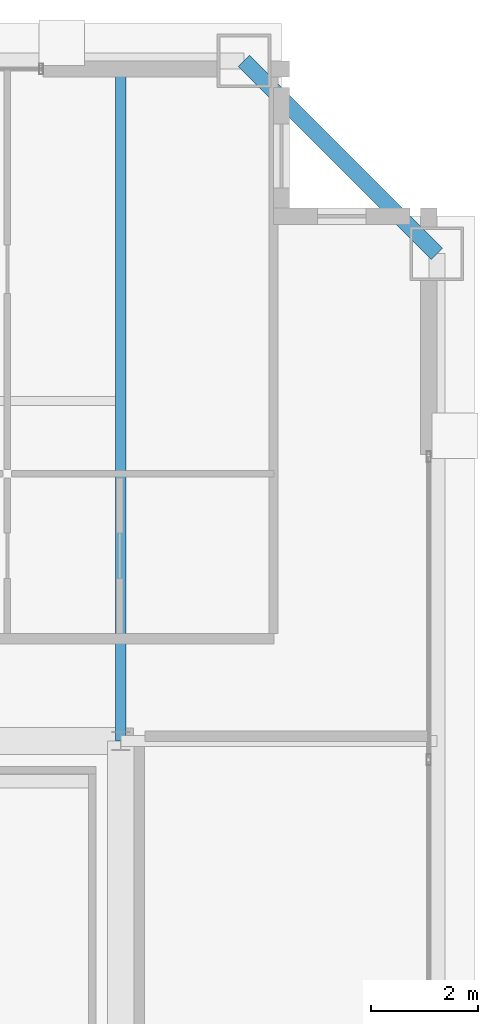
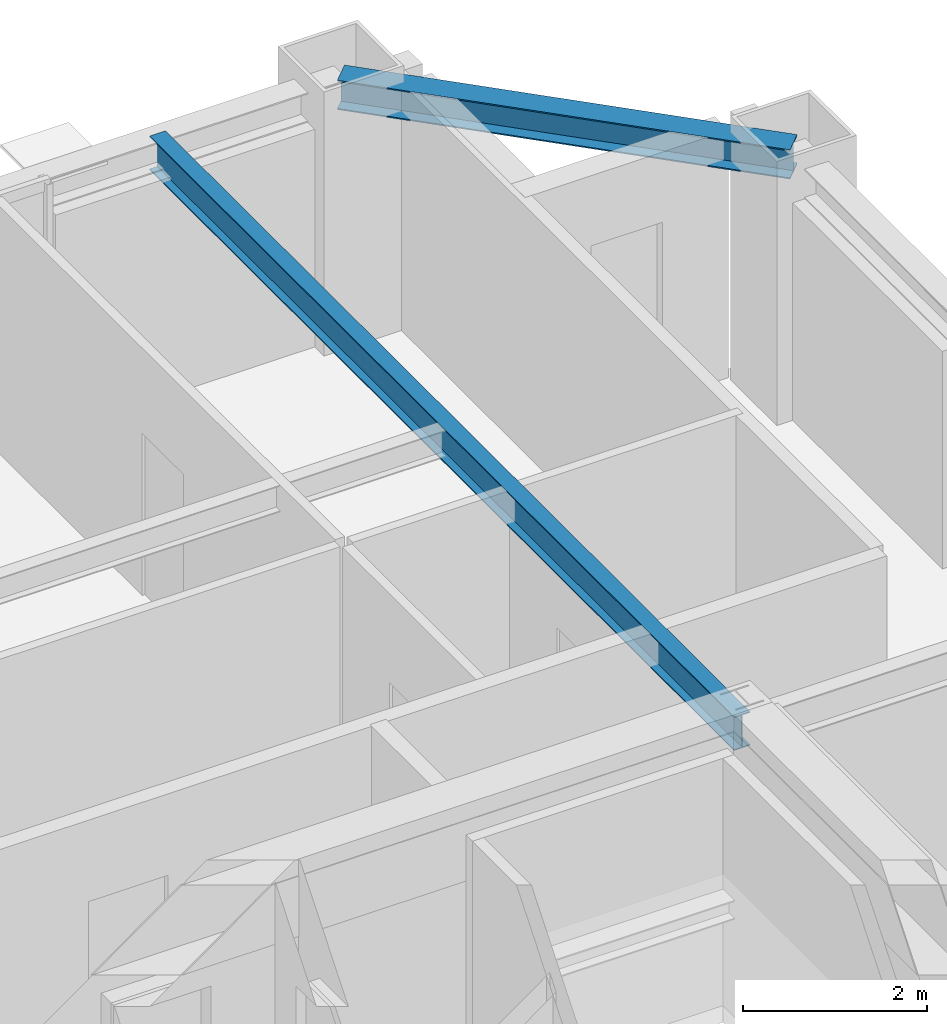
# One storey, part 20 of 35: 2 beams.
"""IFC4 building model written with IfcOpenShell, lengths in metres."""

from ifc_helpers import new_model, si_unit, direction, frame, origin, origin_2d, place, context, subcontext, project, spatial, i_section, extrude, source, transform, mapped, material, material_profile, profile_set, type_object, element, save


model = new_model("IFC4")

# Units and contexts
model_context = context("Model", 3, precision=1e-05, world=origin(), true_north=direction((0.0, 1.0)))
body_context = subcontext(model_context, "Body", "Model", "MODEL_VIEW")
ifc_project = project(units=[si_unit("LENGTHUNIT", "METRE"), si_unit("AREAUNIT", "SQUARE_METRE"), si_unit("VOLUMEUNIT", "CUBIC_METRE"), si_unit("PLANEANGLEUNIT", "RADIAN"), si_unit("MASSUNIT", "GRAM", prefix="KILO"), si_unit("THERMODYNAMICTEMPERATUREUNIT", "KELVIN"), si_unit("POWERUNIT", "WATT")], contexts=[model_context])

# Site, building, storey
site_placement = place(None, origin())
site = spatial("IfcSite", under=ifc_project, at=site_placement, CompositionType="ELEMENT")
building_placement = place(site_placement, origin())
building = spatial("IfcBuilding", under=site, at=building_placement, Name="Yuzanri Waterfront Tower", CompositionType="ELEMENT")
storey_placement = place(building_placement, frame((0.0, 0.0, 318.199951171875)))
storey = spatial("IfcBuildingStorey", under=building, at=storey_placement, Name="L85", CompositionType="ELEMENT", Elevation=318.199951171875)

# Beams
ifc_material_1 = material(Name="Steel Q355B", Category="steel")
ifc_material_profile_1 = material_profile(ifc_material_1, i_section(OverallWidth=0.300048828125, OverallDepth=0.389892578125, WebThickness=0.010009765625, FlangeThickness=0.01611328125, at=origin_2d()), Name="HM 390x300x10x16")
ifc_profile_set_1 = profile_set([ifc_material_profile_1], Name="Steel Q355B")
beam_type_1 = type_object("IfcBeamType", Name="Perimeter Spandrel Q355B HM 390x300", PredefinedType="SPANDREL", material=ifc_profile_set_1)
shared_shape_1 = source(origin(), body_context, "Body", "SweptSolid", [
    extrude(i_section(OverallWidth=0.300048828125, OverallDepth=0.389892578125, WebThickness=0.010009765625, FlangeThickness=0.01611328125, at=origin_2d()), origin(), (0.0, 0.0, 1.0), 5.091064453125),
])
beam_1_placement = place(storey_placement, frame((56.10009765625, 41.300048828125, 3.0849609375), z_axis=(-0.707130757816, 0.707082803744, 0.0), x_axis=(-0.707082803744, -0.707130757816, 0.0)))
element("IfcBeam", 1, at=beam_1_placement, inside=storey, type_object=beam_type_1, Name="L85 Perimeter Spandrel E3-N3", PredefinedType="SPANDREL", context=body_context, shape_type="MappedRepresentation", body=[
    mapped(shared_shape_1, transform((0.0, 0.0, 0.0), scale=1.0)),
])
ifc_material_2 = material(Name="Steel Q355B", Category="steel")
ifc_material_profile_2 = material_profile(ifc_material_2, i_section(OverallWidth=0.199951171875, OverallDepth=0.449951171875, WebThickness=0.009033203125, FlangeThickness=0.013916015625, at=origin_2d()), Name="HN 450x200x9x14")
ifc_profile_set_2 = profile_set([ifc_material_profile_2], Name="Steel Q355B")
beam_type_2 = type_object("IfcBeamType", Name="Secondary Floor Beam Q355B HN 450x200", PredefinedType="BEAM", material=ifc_profile_set_2)
shared_shape_2 = source(origin(), body_context, "Body", "SweptSolid", [
    extrude(i_section(OverallWidth=0.199951171875, OverallDepth=0.449951171875, WebThickness=0.009033203125, FlangeThickness=0.013916015625, at=origin_2d()), origin(), (0.0, 0.0, 1.0), 12.699951171875),
])
beam_2_placement = place(storey_placement, frame((50.199951171875, 32.199951171875, 3.054931640625), z_axis=(0.0, 1.0, 0.0), x_axis=(-1.0, 0.0, 0.0)))
element("IfcBeam", 2, at=beam_2_placement, inside=storey, type_object=beam_type_2, Name="L85 North-East Core Line Beam", PredefinedType="BEAM", context=body_context, shape_type="MappedRepresentation", body=[
    mapped(shared_shape_2, transform((0.0, 0.0, 0.0), scale=1.0)),
])

save(model, "model.ifc")
